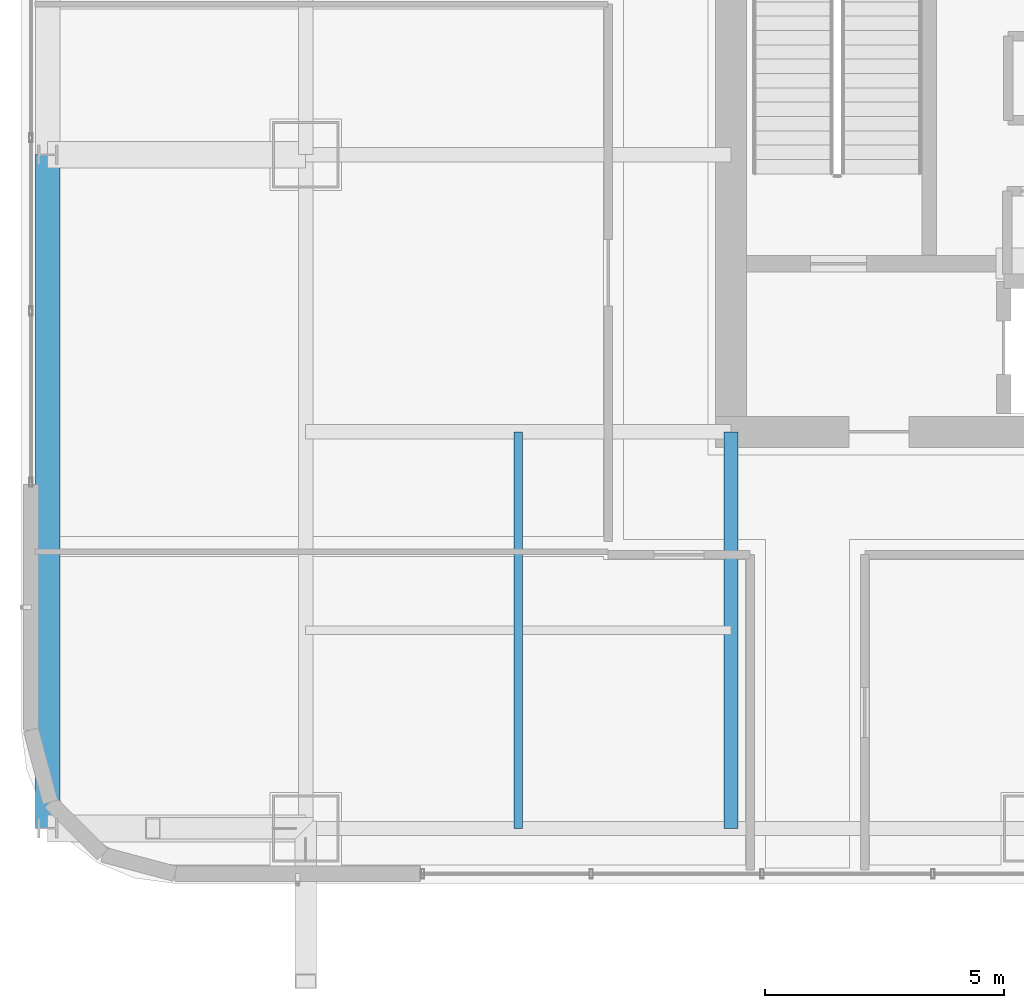
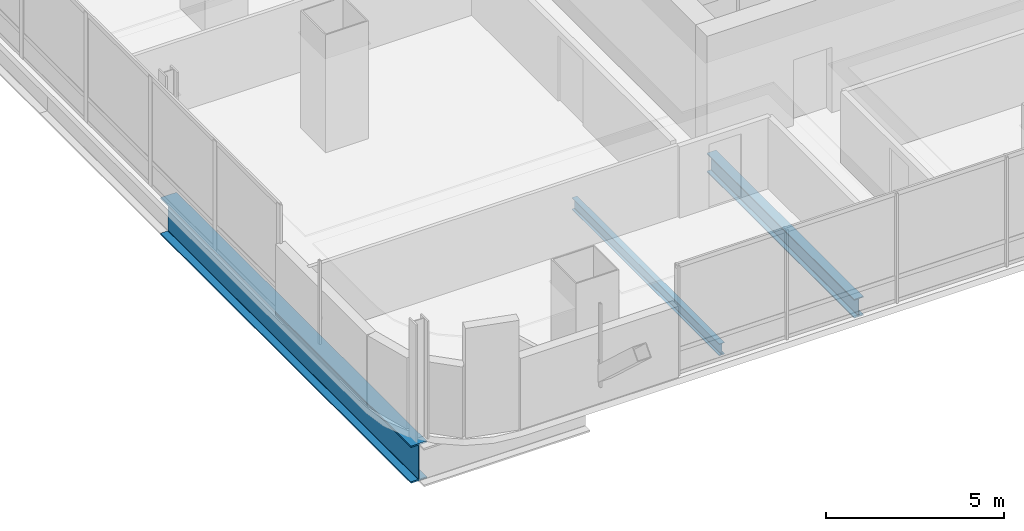
# One storey, part 3 of 47: 3 beams.
"""IFC4 building model written with IfcOpenShell, lengths in metres."""

import ifcopenshell
import ifcopenshell.guid

model = None  # the IFC model being written
_history = None  # IfcOwnerHistory: only IFC2X3 demands one
_inside = {}  # id of a spatial element -> (the spatial element, [elements in it])
_under = {}  # id of a project, library or spatial element -> (it, [spatial elements below it])
_declared = {}  # id of a project -> (the project, [libraries it declares])
_typed = {}  # id of a type object -> (the type object, [elements of that type])
_made_of = {}  # id of a material, layer set ... -> (it, [elements and type objects made of it])


def new_model(schema):
    """Start an empty IFC model of exactly this schema.

    Asked for "IFC4X3", IfcOpenShell would pick the latest addendum, in which some entities
    have other attributes; the version numbers below select the first issue.
    IFC2X3 requires an IfcOwnerHistory on every rooted entity: one is made here for all.
    """
    global model, _history
    if schema == "IFC4X3":
        model = ifcopenshell.file(schema_version=(4, 3, 0, 0))
    else:
        model = ifcopenshell.file(schema=schema)
    _inside.clear()
    _under.clear()
    _declared.clear()
    _typed.clear()
    _made_of.clear()
    _history = None
    if model.schema == "IFC2X3":
        org = make("IfcOrganization", Name="unknown")
        user = make(
            "IfcPersonAndOrganization",
            ThePerson=make("IfcPerson", FamilyName="unknown"),
            TheOrganization=org,
        )
        app = make(
            "IfcApplication",
            ApplicationDeveloper=org,
            Version="unknown",
            ApplicationFullName="unknown",
            ApplicationIdentifier="unknown",
        )
        _history = make(
            "IfcOwnerHistory",
            OwningUser=user,
            OwningApplication=app,
            ChangeAction="ADDED",
            CreationDate=0,
        )
    return model


def make(cls, **values):
    """One entity of the class cls with the attributes given. An attribute that is None is left unset."""
    return model.create_entity(
        cls, **{name: value for name, value in values.items() if value is not None}
    )


def rooted(cls, **values):
    """An entity with a GlobalId (a new one), such as an element, a storey or a relation."""
    return make(cls, GlobalId=ifcopenshell.guid.new(), OwnerHistory=_history, **values)


def si_unit(unit_type, name, prefix=None):
    """IfcSIUnit, for example si_unit("LENGTHUNIT", "METRE", prefix="MILLI")."""
    return make("IfcSIUnit", UnitType=unit_type, Prefix=prefix, Name=name)


def assignment(units):
    """IfcUnitAssignment: the units of a project."""
    return None if units is None else make("IfcUnitAssignment", Units=units)


def point(xyz):
    """IfcCartesianPoint."""
    return None if xyz is None else make("IfcCartesianPoint", Coordinates=xyz)


def direction(xyz):
    """IfcDirection."""
    return None if xyz is None else make("IfcDirection", DirectionRatios=xyz)


def frame(location, z_axis=None, x_axis=None):
    """IfcAxis2Placement3D, a coordinate frame: its origin and axes. An axis left out is left unset."""
    return make(
        "IfcAxis2Placement3D",
        Location=point(location),
        Axis=direction(z_axis),
        RefDirection=direction(x_axis),
    )


def frame_2d(location, x_axis=None):
    """IfcAxis2Placement2D, a coordinate frame in the plane: its origin and x axis."""
    return make(
        "IfcAxis2Placement2D", Location=point(location), RefDirection=direction(x_axis)
    )


def origin():
    """The frame at (0, 0, 0) with its axes left unset."""
    return frame((0.0, 0.0, 0.0))


def origin_2d():
    """The frame at (0, 0) in the plane with its x axis left unset."""
    return frame_2d((0.0, 0.0))


def place(relative_to, where):
    """IfcLocalPlacement: puts the frame where relative to a parent placement (None: the world)."""
    return make(
        "IfcLocalPlacement", PlacementRelTo=relative_to, RelativePlacement=where
    )


def context(
    kind, dimensions, precision=None, world=None, true_north=None, identifier=None
):
    """IfcGeometricRepresentationContext, for example the 3D "Model" context."""
    return make(
        "IfcGeometricRepresentationContext",
        ContextIdentifier=identifier,
        ContextType=kind,
        CoordinateSpaceDimension=dimensions,
        Precision=precision,
        WorldCoordinateSystem=world,
        TrueNorth=true_north,
    )


def subcontext(parent, identifier, kind, view, scale=None):
    """IfcGeometricRepresentationSubContext, for example "Body" below "Model"."""
    return make(
        "IfcGeometricRepresentationSubContext",
        ContextIdentifier=identifier,
        ContextType=kind,
        ParentContext=parent,
        TargetScale=scale,
        TargetView=view,
    )


def project(units=None, contexts=None):
    """IfcProject with its units and contexts."""
    return rooted(
        "IfcProject",
        Name="project",
        RepresentationContexts=contexts,
        UnitsInContext=assignment(units),
    )


def spatial(cls, under=None, at=None, **own):
    """A site, building, storey or space (cls), placed at a placement, below another one or the project."""
    s = rooted(cls, ObjectPlacement=at, **own)
    if under is not None:
        _under.setdefault(under.id(), (under, []))[1].append(s)
    return s


def profile(cls, at=None, kind="AREA", **sizes):
    """A parametric profile (cls). Its sizes go by their IFC names, for example OverallWidth=200.0."""
    return make(cls, ProfileType=kind, Position=at, **sizes)


def i_section(**sizes):
    """IfcIShapeProfileDef."""
    return profile("IfcIShapeProfileDef", **sizes)


def extrude(swept, where, along, depth):
    """IfcExtrudedAreaSolid: the profile swept, set in the frame where, extruded along a direction by depth."""
    return make(
        "IfcExtrudedAreaSolid",
        SweptArea=swept,
        Position=where,
        ExtrudedDirection=direction(along),
        Depth=depth,
    )


def shape(context_of_items, identifier, shape_type, items):
    """IfcShapeRepresentation: the items that make up one representation, for example the "Body"."""
    return make(
        "IfcShapeRepresentation",
        ContextOfItems=context_of_items,
        RepresentationIdentifier=identifier,
        RepresentationType=shape_type,
        Items=items,
    )


def material(Name=None, Category=None):
    """IfcMaterial."""
    return make("IfcMaterial", Name=Name, Category=Category)


def material_profile(
    of_material, cross_section, Name=None, Category=None, Priority=None
):
    """IfcMaterialProfile: a cross section and its material."""
    return make(
        "IfcMaterialProfile",
        Name=Name,
        Material=of_material,
        Profile=cross_section,
        Priority=Priority,
        Category=Category,
    )


def profile_set(profiles, Name=None, composite=None):
    """IfcMaterialProfileSet."""
    return make(
        "IfcMaterialProfileSet",
        Name=Name,
        MaterialProfiles=profiles,
        CompositeProfile=composite,
    )


def made_of(thing, what):
    """Note that an element or type object is made of a material, layer set ...; save() writes the relation."""
    if what is not None:
        _made_of.setdefault(what.id(), (what, []))[1].append(thing)
    return thing


def type_object(cls, material=None, **own):
    """A type object (cls), such as IfcWallType, which elements share."""
    return made_of(rooted(cls, **own), material)


def element(
    cls,
    number,
    at=None,
    inside=None,
    cuts=None,
    type_object=None,
    material=None,
    context=None,
    identifier="Body",
    shape_type=None,
    held_by="IfcProductDefinitionShape",
    body=None,
    shapes=None,
    **own,
):
    """One element of the class cls, such as IfcWall. Its Tag is "e" and its number.

    at: its placement. inside: the storey or other place that contains it. cuts: it is an
    opening in that element (IfcRelVoidsElement). A single representation is given by context,
    identifier, shape_type and body (its items); several are given by shapes. held_by: the class
    of the entity that holds the representations. save() writes the other relations.
    """
    e = rooted(cls, Tag="e%d" % number, ObjectPlacement=at, **own)
    if body is not None:
        shapes = [shape(context, identifier, shape_type, body)]
    if shapes is not None:
        e.Representation = make(held_by, Representations=shapes)
    if inside is not None:
        _inside.setdefault(inside.id(), (inside, []))[1].append(e)
    if cuts is not None:
        rooted(
            "IfcRelVoidsElement", RelatingBuildingElement=cuts, RelatedOpeningElement=e
        )
    if type_object is not None:
        _typed.setdefault(type_object.id(), (type_object, []))[1].append(e)
    return made_of(e, material)


def aggregate(whole, parts):
    """IfcRelAggregates: a whole, such as a stair, and the parts it consists of."""
    return rooted("IfcRelAggregates", RelatingObject=whole, RelatedObjects=parts)


def save(model, path):
    """Write the relations noted so far, then the file.

    IfcRelAggregates (storeys below a building ...), IfcRelContainedInSpatialStructure (elements
    in a storey), IfcRelDefinesByType, IfcRelAssociatesMaterial and IfcRelDeclares: one each for
    every whole, place, type object, material and project.
    """
    for whole, parts in _under.values():
        aggregate(whole, parts)
    for where, things in _inside.values():
        rooted(
            "IfcRelContainedInSpatialStructure",
            RelatedElements=things,
            RelatingStructure=where,
        )
    for kind, things in _typed.values():
        rooted("IfcRelDefinesByType", RelatedObjects=things, RelatingType=kind)
    for what, things in _made_of.values():
        rooted("IfcRelAssociatesMaterial", RelatedObjects=things, RelatingMaterial=what)
    for by, libraries in _declared.values():
        rooted("IfcRelDeclares", RelatingContext=by, RelatedDefinitions=libraries)
    model.write(path)


model = new_model("IFC4")

# Units and contexts
model_context = context("Model", 3, precision=1e-05, world=origin(), true_north=direction((0.0, 1.0)))
body_context = subcontext(model_context, "Body", "Model", "MODEL_VIEW")
ifc_project = project(units=[si_unit("LENGTHUNIT", "METRE"), si_unit("AREAUNIT", "SQUARE_METRE"), si_unit("VOLUMEUNIT", "CUBIC_METRE"), si_unit("PLANEANGLEUNIT", "RADIAN"), si_unit("MASSUNIT", "GRAM", prefix="KILO")], contexts=[model_context])

# Site, building, storey
site_placement = place(None, origin())
site = spatial("IfcSite", under=ifc_project, at=site_placement, CompositionType="ELEMENT")
building_placement = place(site_placement, origin())
building = spatial("IfcBuilding", under=site, at=building_placement, Name="Punatoya Terracotta Tower", CompositionType="ELEMENT")
storey_placement = place(building_placement, frame((0.0, 0.0, 168.14990234375)))
storey = spatial("IfcBuildingStorey", under=building, at=storey_placement, Name="L39", CompositionType="ELEMENT", Elevation=168.14990234375)

# Beams
ifc_material_1 = material(Name="Steel S355", Category="steel")
ifc_material_profile_1 = material_profile(ifc_material_1, i_section(OverallWidth=0.300048828125, OverallDepth=0.64990234375, WebThickness=0.01611328125, FlangeThickness=0.031005859375, FilletRadius=0.01806640625, at=origin_2d()))
ifc_profile_set_1 = profile_set([ifc_material_profile_1], Name="Steel S355")
beam_type_1 = type_object("IfcBeamType", Name="BM-PRI-650", PredefinedType="BEAM", material=ifc_profile_set_1)
beam_1_placement = place(storey_placement, frame((-10.199951171875, -17.5, -0.544921875), z_axis=(0.0, 1.0, 0.0), x_axis=(-1.0, 0.0, 0.0)))
element("IfcBeam", 1, at=beam_1_placement, inside=storey, type_object=beam_type_1, Name="BM-L39-PR-S1", PredefinedType="BEAM", context=body_context, shape_type="SweptSolid", body=[
    extrude(i_section(OverallWidth=0.300048828125, OverallDepth=0.64990234375, WebThickness=0.01611328125, FlangeThickness=0.031005859375, FilletRadius=0.01806640625, at=origin_2d()), origin(), (0.0, 0.0, 1.0), 8.300048828125),
])
ifc_material_profile_2 = material_profile(ifc_material_1, i_section(OverallWidth=0.179931640625, OverallDepth=0.39990234375, WebThickness=0.008544921875, FlangeThickness=0.013427734375, FilletRadius=0.01806640625, at=origin_2d()))
ifc_profile_set_2 = profile_set([ifc_material_profile_2], Name="Steel S355")
beam_type_2 = type_object("IfcBeamType", Name="BM-SEC-400", PredefinedType="JOIST", material=ifc_profile_set_2)
beam_2_placement = place(storey_placement, frame((-14.64990234375, -17.5, -0.419921875), z_axis=(0.0, 1.0, 0.0), x_axis=(-1.0, 0.0, 0.0)))
element("IfcBeam", 2, at=beam_2_placement, inside=storey, type_object=beam_type_2, Name="BM-L39-SJW-1", PredefinedType="JOIST", context=body_context, shape_type="SweptSolid", body=[
    extrude(i_section(OverallWidth=0.179931640625, OverallDepth=0.39990234375, WebThickness=0.008544921875, FlangeThickness=0.013427734375, FilletRadius=0.01806640625, at=origin_2d()), origin(), (0.0, 0.0, 1.0), 8.300048828125),
])
ifc_material_2 = material(Name="Steel S460", Category="steel")
ifc_material_profile_3 = material_profile(ifc_material_2, i_section(OverallWidth=0.52001953125, OverallDepth=1.280029296875, WebThickness=0.031982421875, FlangeThickness=0.050048828125, FilletRadius=0.01806640625, at=origin_2d()))
ifc_profile_set_3 = profile_set([ifc_material_profile_3], Name="Steel S460")
beam_type_3 = type_object("IfcBeamType", Name="BM-TG-NCK", PredefinedType="BEAM", material=ifc_profile_set_3)
beam_3_placement = place(storey_placement, frame((-24.5, -17.5, -0.85986328125), z_axis=(0.0, 1.0, 0.0), x_axis=(-1.0, 0.0, 0.0)))
element("IfcBeam", 3, at=beam_3_placement, inside=storey, type_object=beam_type_3, Name="BM-L39-PER-W1", PredefinedType="BEAM", context=body_context, shape_type="SweptSolid", body=[
    extrude(i_section(OverallWidth=0.52001953125, OverallDepth=1.280029296875, WebThickness=0.031982421875, FlangeThickness=0.050048828125, FilletRadius=0.01806640625, at=origin_2d()), origin(), (0.0, 0.0, 1.0), 14.10009765625),
])

save(model, "model.ifc")
